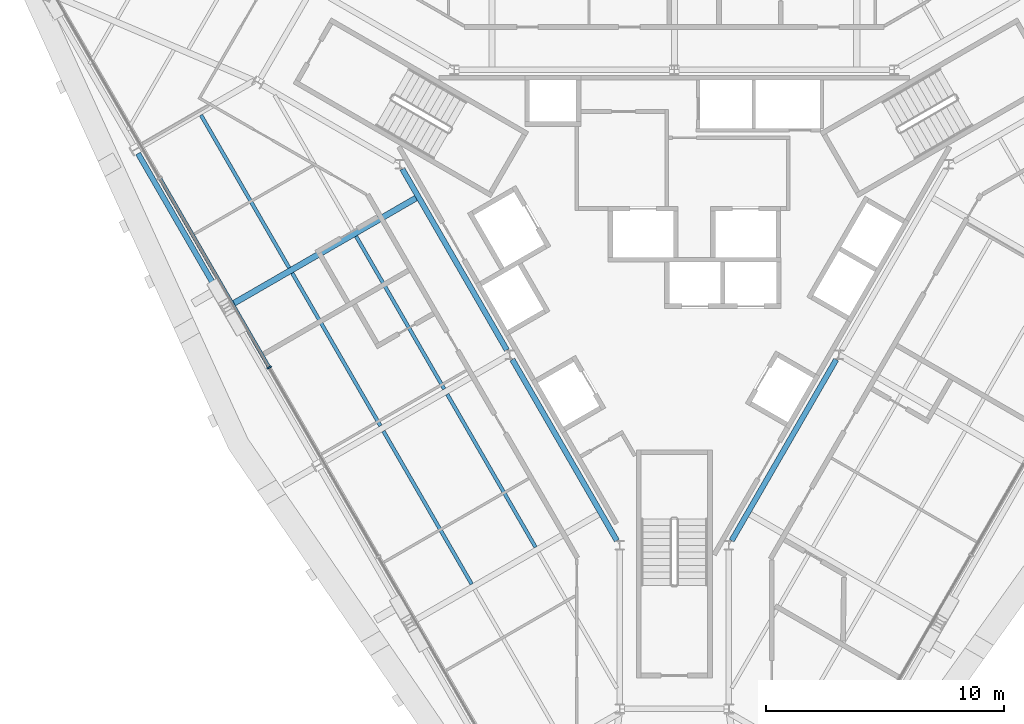
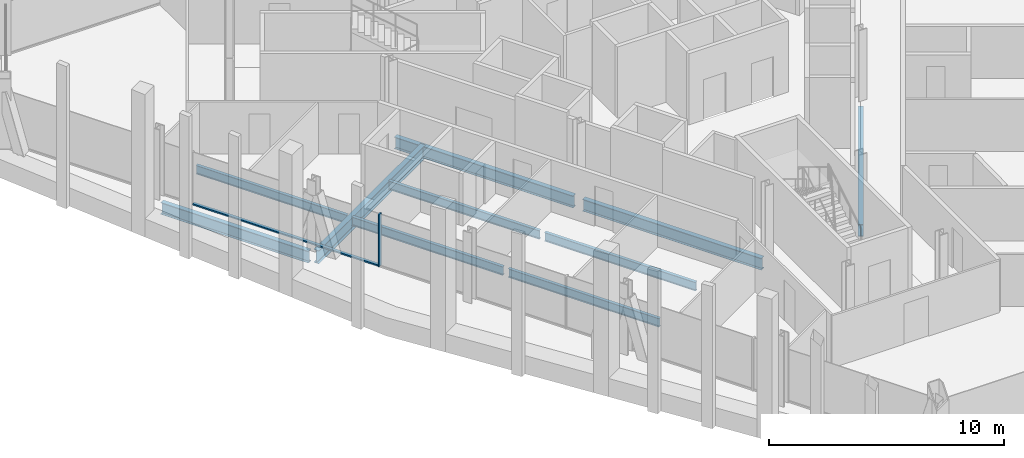
# One storey, part 3 of 13: 10 beams, 2 members, 1 element without a shape of its own.
"""IFC4 building model written with IfcOpenShell, lengths in metres."""

from ifc_helpers import new_model, si_unit, direction, frame, origin, origin_2d, place, context, subcontext, project, spatial, rectangle, i_section, extrude, material, material_profile, profile_set, type_object, element, aggregate, save


model = new_model("IFC4")

# Units and contexts
model_context = context("Model", 3, precision=1e-05, world=origin(), true_north=direction((0.0, 1.0)))
body_context = subcontext(model_context, "Body", "Model", "MODEL_VIEW")
ifc_project = project(units=[si_unit("LENGTHUNIT", "METRE"), si_unit("AREAUNIT", "SQUARE_METRE"), si_unit("VOLUMEUNIT", "CUBIC_METRE"), si_unit("PLANEANGLEUNIT", "RADIAN"), si_unit("MASSUNIT", "GRAM", prefix="KILO")], contexts=[model_context])

# Site, building, storey
site_placement = place(None, origin())
site = spatial("IfcSite", under=ifc_project, at=site_placement, CompositionType="ELEMENT")
building_placement = place(site_placement, origin())
building = spatial("IfcBuilding", under=site, at=building_placement, Name="Verrane Prism Tower", CompositionType="ELEMENT")
storey_placement = place(building_placement, frame((0.0, 0.0, 171.0)))
storey = spatial("IfcBuildingStorey", under=building, at=storey_placement, Name="L42", CompositionType="ELEMENT", Elevation=171.0)

# Beams
ifc_material_1 = material(Name="Steel A992", Category="steel")
ifc_material_profile_1 = material_profile(ifc_material_1, i_section(OverallWidth=0.23046875, OverallDepth=0.6171875, WebThickness=0.01318359375, FlangeThickness=0.022216796875, FilletRadius=0.012939453125, at=origin_2d()), Name="W24x94")
ifc_profile_set_1 = profile_set([ifc_material_profile_1], Name="Steel A992")
beam_type_1 = type_object("IfcBeamType", Name="Core ring girder W24x94", PredefinedType="BEAM", material=ifc_profile_set_1)
beam_1_placement = place(storey_placement, frame((-11.44482421875, 3.820556640625, -0.55859375), z_axis=(0.499967414725, -0.866044216084, 0.0), x_axis=(0.866044216084, 0.499967414725, 0.0)))
element("IfcBeam", 1, at=beam_1_placement, inside=storey, type_object=beam_type_1, Name="Core ring girder L42", PredefinedType="BEAM", context=body_context, shape_type="SweptSolid", body=[
    extrude(i_section(OverallWidth=0.23046875, OverallDepth=0.6171875, WebThickness=0.01318359375, FlangeThickness=0.022216796875, FilletRadius=0.012939453125, at=origin_2d()), origin(), (0.0, 0.0, 1.0), 8.7998046875),
])
for number, where, z_axis, x_axis, name in (
    (2, (-6.81494140625, -4.199462890625, -0.55859375), (0.499988222896, -0.866032203192, 0.0), (0.866032203192, 0.499988222896, 0.0), "Core ring girder L42"),
    (3, (2.4150390625, -11.820556640625, -0.55859375), (0.499988222896, 0.866032203192, 0.0), (-0.866032203192, 0.499988222896, 0.0), "Core ring girder L42"),
):
    element("IfcBeam", number, at=place(storey_placement, frame(where, z_axis=z_axis, x_axis=x_axis)), inside=storey, type_object=beam_type_1, Name=name, PredefinedType="BEAM", context=body_context, shape_type="SweptSolid", body=[
        extrude(i_section(OverallWidth=0.23046875, OverallDepth=0.6171875, WebThickness=0.01318359375, FlangeThickness=0.022216796875, FilletRadius=0.012939453125, at=origin_2d()), origin(), (0.0, 0.0, 1.0), 8.800048828125),
    ])
ifc_material_2 = material(Name="Steel A992", Category="steel")
ifc_material_profile_2 = material_profile(ifc_material_2, i_section(OverallWidth=0.15234375, OverallDepth=0.449462890625, WebThickness=0.007568359375, FlangeThickness=0.0107421875, FilletRadius=0.01025390625, at=origin_2d()), Name="W18x35")
ifc_profile_set_2 = profile_set([ifc_material_profile_2], Name="Steel A992")
beam_type_2 = type_object("IfcBeamType", Name="Floor beam W18x35", PredefinedType="BEAM", material=ifc_profile_set_2)
beam_2_placement = place(storey_placement, frame((-16.206787109375, -0.340087890625, -0.384765625), z_axis=(-0.50000040832, 0.866025168041, 0.0), x_axis=(-0.866025168041, -0.50000040832, 0.0)))
element("IfcBeam", 4, at=beam_2_placement, inside=storey, type_object=beam_type_2, Name="Floor beam L42", PredefinedType="BEAM", context=body_context, shape_type="SweptSolid", body=[
    extrude(i_section(OverallWidth=0.15234375, OverallDepth=0.449462890625, WebThickness=0.007568359375, FlangeThickness=0.0107421875, FilletRadius=0.01025390625, at=origin_2d()), origin(), (0.0, 0.0, 1.0), 7.42578125),
])
for number, where, z_axis, x_axis, name in (
    (5, (-9.680419921875, -5.440185546875, -0.384765625), (-0.499979562871, 0.866037202845, 0.0), (-0.866037202845, -0.499979562871, 0.0), "Floor beam L42"),
    (6, (-12.3671875, -6.990234375, -0.384765625), (-0.499979562871, 0.866037202845, 0.0), (-0.866037202845, -0.499979562871, 0.0), "Floor beam L42"),
):
    element("IfcBeam", number, at=place(storey_placement, frame(where, z_axis=z_axis, x_axis=x_axis)), inside=storey, type_object=beam_type_2, Name=name, PredefinedType="BEAM", context=body_context, shape_type="SweptSolid", body=[
        extrude(i_section(OverallWidth=0.15234375, OverallDepth=0.449462890625, WebThickness=0.007568359375, FlangeThickness=0.0107421875, FilletRadius=0.01025390625, at=origin_2d()), origin(), (0.0, 0.0, 1.0), 7.425048828125),
    ])
beam_3_placement = place(storey_placement, frame((-5.837646484375, -12.098388671875, -0.384765625), z_axis=(-0.499996323716, 0.866027526278, 0.0), x_axis=(-0.866027526278, -0.499996323716, 0.0)))
element("IfcBeam", 7, at=beam_3_placement, inside=storey, type_object=beam_type_2, Name="Floor beam L42", PredefinedType="BEAM", context=body_context, shape_type="SweptSolid", body=[
    extrude(i_section(OverallWidth=0.15234375, OverallDepth=0.449462890625, WebThickness=0.007568359375, FlangeThickness=0.0107421875, FilletRadius=0.01025390625, at=origin_2d()), origin(), (0.0, 0.0, 1.0), 7.43359375),
])
beam_4_placement = place(storey_placement, frame((-8.525390625, -13.6494140625, -0.384765625), z_axis=(-0.500006734102, 0.866021515814, 0.0), x_axis=(-0.866021515814, -0.500006734102, 0.0)))
element("IfcBeam", 8, at=beam_4_placement, inside=storey, type_object=beam_type_2, Name="Floor beam L42", PredefinedType="BEAM", context=body_context, shape_type="SweptSolid", body=[
    extrude(i_section(OverallWidth=0.15234375, OverallDepth=0.449462890625, WebThickness=0.007568359375, FlangeThickness=0.0107421875, FilletRadius=0.01025390625, at=origin_2d()), origin(), (0.0, 0.0, 1.0), 7.43408203125),
])

# Curtain wall, member
ifc_material_3 = material(Name="Aluminium framed insulated glazing", Category="aluminium")
curtain_wall_type = type_object("IfcCurtainWallType", Name="Curtain wall CW-A 8400 module", PredefinedType="NOTDEFINED", material=ifc_material_3)
curtain_wall_placement = place(storey_placement, origin())
curtain_wall = element("IfcCurtainWall", 9, at=curtain_wall_placement, inside=storey, type_object=curtain_wall_type, Name="Glazed curtain wall south-west face L42", PredefinedType="NOTDEFINED")
ifc_material_4 = material(Name="Aluminium alloy 6063-T6", Category="aluminium")
ifc_material_profile_3 = material_profile(ifc_material_4, rectangle(XDim=0.199951171875, YDim=0.070068359375, at=origin_2d()), Name="Mullion 70x200 aluminium")
ifc_profile_set_3 = profile_set([ifc_material_profile_3], Name="Aluminium alloy 6063-T6")
member_type_1 = type_object("IfcMemberType", Name="Mullion 70x200 aluminium", PredefinedType="MULLION", material=ifc_profile_set_3)
member_1_placement = place(storey_placement, frame((-17.0498046875, -4.531005859375, 0.0), z_axis=(0.0, 0.0, 1.0), x_axis=(0.86602596468, 0.499999028499, 0.0)))
member_1 = element("IfcMember", 10, at=member_1_placement, type_object=member_type_1, Name="CW42.4 mullion 3", PredefinedType="MULLION", context=body_context, shape_type="SweptSolid", body=[
    extrude(rectangle(XDim=0.199951171875, YDim=0.070068359375, at=origin_2d()), origin(), (0.0, 0.0, 1.0), 2.712890625),
])

# Beams
ifc_material_5 = material(Name="Steel A992", Category="steel")
ifc_material_profile_4 = material_profile(ifc_material_5, i_section(OverallWidth=0.25390625, OverallDepth=0.683349609375, WebThickness=0.012451171875, FlangeThickness=0.01904296875, FilletRadius=0.01513671875, at=origin_2d()), Name="W27x94")
ifc_profile_set_4 = profile_set([ifc_material_profile_4], Name="Steel A992")
beam_type_3 = type_object("IfcBeamType", Name="Radial girder W27x94", PredefinedType="BEAM", material=ifc_profile_set_4)
beam_5_placement = place(storey_placement, frame((-18.641845703125, -1.891357421875, -0.5615234375), z_axis=(0.866022759689, 0.500004579679, 0.0), x_axis=(-0.500004579679, 0.866022759689, 0.0)))
element("IfcBeam", 11, at=beam_5_placement, inside=storey, type_object=beam_type_3, Name="Radial girder L42", PredefinedType="BEAM", context=body_context, shape_type="SweptSolid", body=[
    extrude(i_section(OverallWidth=0.25390625, OverallDepth=0.683349609375, WebThickness=0.012451171875, FlangeThickness=0.01904296875, FilletRadius=0.01513671875, at=origin_2d()), origin(), (0.0, 0.0, 1.0), 9.0888671875),
])
ifc_material_6 = material(Name="Steel A992", Category="steel")
ifc_material_profile_5 = material_profile(ifc_material_6, i_section(OverallWidth=0.23046875, OverallDepth=0.6171875, WebThickness=0.01318359375, FlangeThickness=0.022216796875, FilletRadius=0.012939453125, at=origin_2d()), Name="W24x94")
ifc_profile_set_5 = profile_set([ifc_material_profile_5], Name="Steel A992")
beam_type_4 = type_object("IfcBeamType", Name="Spandrel beam W24x94", PredefinedType="SPANDREL", material=ifc_profile_set_5)
beam_6_placement = place(storey_placement, frame((-22.567138671875, 4.4716796875, -0.468505859375), z_axis=(0.50007721572, -0.865980818678, 0.0), x_axis=(0.865980818678, 0.50007721572, 0.0)))
element("IfcBeam", 12, at=beam_6_placement, inside=storey, type_object=beam_type_4, Name="Spandrel beam L42", PredefinedType="SPANDREL", context=body_context, shape_type="SweptSolid", body=[
    extrude(i_section(OverallWidth=0.23046875, OverallDepth=0.6171875, WebThickness=0.01318359375, FlangeThickness=0.022216796875, FilletRadius=0.012939453125, at=origin_2d()), origin(), (0.0, 0.0, 1.0), 7.267333984375),
])

# Member
ifc_material_7 = material(Name="Aluminium alloy 6063-T6", Category="aluminium")
ifc_material_profile_6 = material_profile(ifc_material_7, rectangle(XDim=0.14990234375, YDim=0.070068359375, at=origin_2d()), Name="Transom 70x150 aluminium")
ifc_profile_set_6 = profile_set([ifc_material_profile_6], Name="Aluminium alloy 6063-T6")
member_type_2 = type_object("IfcMemberType", Name="Transom 70x150 aluminium", PredefinedType="USERDEFINED", material=ifc_profile_set_6)
member_2_placement = place(storey_placement, frame((-21.633056640625, 3.407470703125, 0.034912109375), z_axis=(0.500009425886, -0.866019961678, 0.0), x_axis=(0.866019961678, 0.500009425886, 0.0)))
member_2 = element("IfcMember", 13, at=member_2_placement, type_object=member_type_2, Name="CW42.4 transom 2", ObjectType="TRANSOM", PredefinedType="USERDEFINED", context=body_context, shape_type="SweptSolid", body=[
    extrude(rectangle(XDim=0.14990234375, YDim=0.070068359375, at=origin_2d()), origin(), (0.0, 0.0, 1.0), 9.131591796875),
])

aggregate(curtain_wall, [member_1, member_2])

save(model, "model.ifc")
